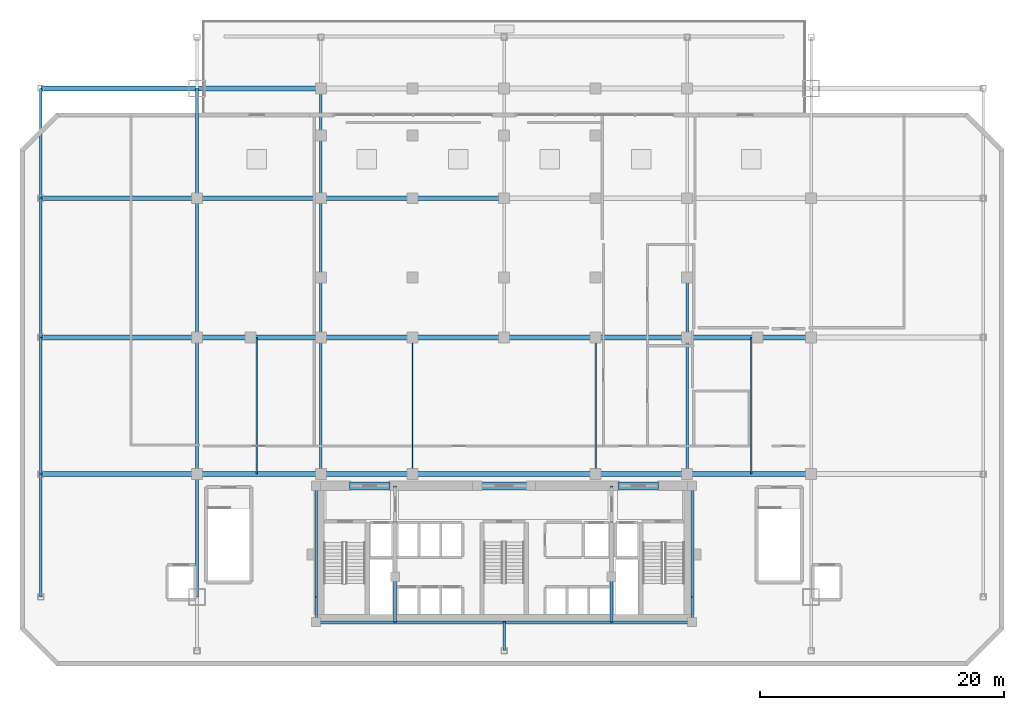
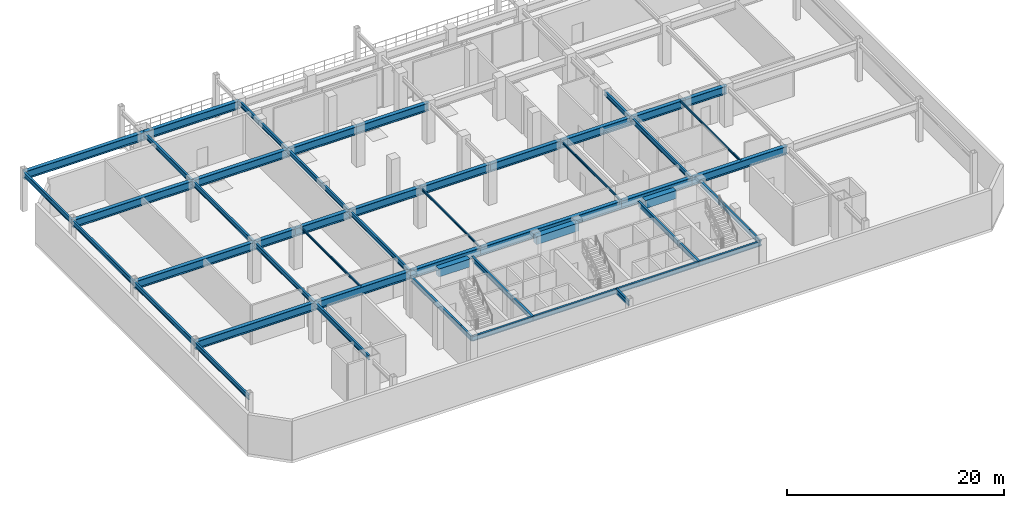
# One storey, part 3 of 15: 53 beams.
"""IFC4 building model written with IfcOpenShell, lengths in metres."""

from ifc_helpers import new_model, si_unit, direction, frame, origin, origin_2d, place, context, subcontext, project, spatial, rectangle, i_section, extrude, material, material_profile, profile_set, type_object, element, save


model = new_model("IFC4")

# Units and contexts
model_context = context("Model", 3, precision=1e-05, world=origin(), true_north=direction((0.0, 1.0)))
body_context = subcontext(model_context, "Body", "Model", "MODEL_VIEW")
ifc_project = project(units=[si_unit("LENGTHUNIT", "METRE"), si_unit("AREAUNIT", "SQUARE_METRE"), si_unit("VOLUMEUNIT", "CUBIC_METRE"), si_unit("PLANEANGLEUNIT", "RADIAN"), si_unit("MASSUNIT", "GRAM", prefix="KILO")], contexts=[model_context])

# Site, building, storey
site_placement = place(None, origin())
site = spatial("IfcSite", under=ifc_project, at=site_placement, CompositionType="ELEMENT")
building_placement = place(site_placement, origin())
building = spatial("IfcBuilding", under=site, at=building_placement, Name="Ventersveld Concourse Tower", CompositionType="ELEMENT")
storey_placement = place(building_placement, frame((0.0, 0.0, 19.800048828125)))
storey = spatial("IfcBuildingStorey", under=building, at=storey_placement, Name="L04", CompositionType="ELEMENT", Elevation=19.800048828125)

# Beams
ifc_material_1 = material(Name="Concrete C60/75", Category="concrete")
ifc_material_profile_1 = material_profile(ifc_material_1, rectangle(XDim=0.60009765625, YDim=0.89990234375, at=origin_2d()), Name="RC 600x900")
ifc_profile_set_1 = profile_set([ifc_material_profile_1], Name="Concrete C60/75")
beam_type_1 = type_object("IfcBeamType", Name="CB-RC600x900L", PredefinedType="LINTEL", material=ifc_profile_set_1)
beam_1_placement = place(storey_placement, frame((16.10009765625, 11.449951171875, 3.949951171875), z_axis=(1.0, 0.0, 0.0), x_axis=(0.0, 1.0, 0.0)))
element("IfcBeam", 1, at=beam_1_placement, inside=storey, type_object=beam_type_1, Name="L04 Core Coupling Lintel Beam 1", PredefinedType="LINTEL", context=body_context, shape_type="SweptSolid", body=[
    extrude(rectangle(XDim=0.60009765625, YDim=0.89990234375, at=origin_2d()), origin(), (0.0, 0.0, 1.0), 3.2998046875),
])
beam_2_placement = place(storey_placement, frame((26.5, 11.449951171875, 3.949951171875), z_axis=(1.0, 0.0, 0.0), x_axis=(0.0, 1.0, 0.0)))
element("IfcBeam", 2, at=beam_2_placement, inside=storey, type_object=beam_type_1, Name="L04 Core Coupling Lintel Beam 2", PredefinedType="LINTEL", context=body_context, shape_type="SweptSolid", body=[
    extrude(rectangle(XDim=0.60009765625, YDim=0.89990234375, at=origin_2d()), origin(), (0.0, 0.0, 1.0), 4.5),
])
beam_3_placement = place(storey_placement, frame((38.10009765625, 11.449951171875, 3.949951171875), z_axis=(1.0, 0.0, 0.0), x_axis=(0.0, 1.0, 0.0)))
element("IfcBeam", 3, at=beam_3_placement, inside=storey, type_object=beam_type_1, Name="L04 Core Coupling Lintel Beam 3", PredefinedType="LINTEL", context=body_context, shape_type="SweptSolid", body=[
    extrude(rectangle(XDim=0.60009765625, YDim=0.89990234375, at=origin_2d()), origin(), (0.0, 0.0, 1.0), 3.2998046875),
])
ifc_material_2 = material(Name="Structural steel S355J2", Category="steel")
ifc_material_profile_2 = material_profile(ifc_material_2, i_section(OverallWidth=0.39990234375, OverallDepth=0.89990234375, WebThickness=0.02197265625, FlangeThickness=0.035888671875, at=origin_2d()), Name="PG 900x400x36")
ifc_profile_set_2 = profile_set([ifc_material_profile_2], Name="Structural steel S355J2")
beam_type_2 = type_object("IfcBeamType", Name="GRD-PG900", PredefinedType="USERDEFINED", material=ifc_profile_set_2)
beam_4_placement = place(storey_placement, frame((-9.199951171875, 12.39990234375, 3.949951171875), z_axis=(1.0, 0.0, 0.0), x_axis=(0.0, 1.0, 0.0)))
element("IfcBeam", 4, at=beam_4_placement, inside=storey, type_object=beam_type_2, Name="L04 Podium Primary Girder Y=12.4m", ObjectType="GIRDER", PredefinedType="USERDEFINED", context=body_context, shape_type="SweptSolid", body=[
    extrude(i_section(OverallWidth=0.39990234375, OverallDepth=0.89990234375, WebThickness=0.02197265625, FlangeThickness=0.035888671875, at=origin_2d()), origin(), (0.0, 0.0, 1.0), 12.800048828125),
])
beam_5_placement = place(storey_placement, frame((3.60009765625, 12.39990234375, 3.949951171875), z_axis=(1.0, 0.0, 0.0), x_axis=(0.0, 1.0, 0.0)))
element("IfcBeam", 5, at=beam_5_placement, inside=storey, type_object=beam_type_2, Name="L04 Podium Primary Girder Y=12.4m", ObjectType="GIRDER", PredefinedType="USERDEFINED", context=body_context, shape_type="SweptSolid", body=[
    extrude(i_section(OverallWidth=0.39990234375, OverallDepth=0.89990234375, WebThickness=0.02197265625, FlangeThickness=0.035888671875, at=origin_2d()), origin(), (0.0, 0.0, 1.0), 10.14990234375),
])
beam_6_placement = place(storey_placement, frame((13.75, 12.39990234375, 3.949951171875), z_axis=(1.0, 0.0, 0.0), x_axis=(0.0, 1.0, 0.0)))
element("IfcBeam", 6, at=beam_6_placement, inside=storey, type_object=beam_type_2, Name="L04 Podium Primary Girder Y=12.4m", ObjectType="GIRDER", PredefinedType="USERDEFINED", context=body_context, shape_type="SweptSolid", body=[
    extrude(i_section(OverallWidth=0.39990234375, OverallDepth=0.89990234375, WebThickness=0.02197265625, FlangeThickness=0.035888671875, at=origin_2d()), origin(), (0.0, 0.0, 1.0), 7.5),
])
beam_7_placement = place(storey_placement, frame((21.25, 12.39990234375, 3.949951171875), z_axis=(1.0, 0.0, 0.0), x_axis=(0.0, 1.0, 0.0)))
element("IfcBeam", 7, at=beam_7_placement, inside=storey, type_object=beam_type_2, Name="L04 Podium Primary Girder Y=12.4m", ObjectType="GIRDER", PredefinedType="USERDEFINED", context=body_context, shape_type="SweptSolid", body=[
    extrude(i_section(OverallWidth=0.39990234375, OverallDepth=0.89990234375, WebThickness=0.02197265625, FlangeThickness=0.035888671875, at=origin_2d()), origin(), (0.0, 0.0, 1.0), 15.0),
])
beam_8_placement = place(storey_placement, frame((36.25, 12.39990234375, 3.949951171875), z_axis=(1.0, 0.0, 0.0), x_axis=(0.0, 1.0, 0.0)))
element("IfcBeam", 8, at=beam_8_placement, inside=storey, type_object=beam_type_2, Name="L04 Podium Primary Girder Y=12.4m", ObjectType="GIRDER", PredefinedType="USERDEFINED", context=body_context, shape_type="SweptSolid", body=[
    extrude(i_section(OverallWidth=0.39990234375, OverallDepth=0.89990234375, WebThickness=0.02197265625, FlangeThickness=0.035888671875, at=origin_2d()), origin(), (0.0, 0.0, 1.0), 7.5),
])
beam_9_placement = place(storey_placement, frame((43.75, 12.39990234375, 3.949951171875), z_axis=(1.0, 0.0, 0.0), x_axis=(0.0, 1.0, 0.0)))
element("IfcBeam", 9, at=beam_9_placement, inside=storey, type_object=beam_type_2, Name="L04 Podium Primary Girder Y=12.4m", ObjectType="GIRDER", PredefinedType="USERDEFINED", context=body_context, shape_type="SweptSolid", body=[
    extrude(i_section(OverallWidth=0.39990234375, OverallDepth=0.89990234375, WebThickness=0.02197265625, FlangeThickness=0.035888671875, at=origin_2d()), origin(), (0.0, 0.0, 1.0), 10.14990234375),
])
beam_10_placement = place(storey_placement, frame((-9.199951171875, 23.60009765625, 3.949951171875), z_axis=(1.0, 0.0, 0.0), x_axis=(0.0, 1.0, 0.0)))
element("IfcBeam", 10, at=beam_10_placement, inside=storey, type_object=beam_type_2, Name="L04 Podium Primary Girder Y=23.6m", ObjectType="GIRDER", PredefinedType="USERDEFINED", context=body_context, shape_type="SweptSolid", body=[
    extrude(i_section(OverallWidth=0.39990234375, OverallDepth=0.89990234375, WebThickness=0.02197265625, FlangeThickness=0.035888671875, at=origin_2d()), origin(), (0.0, 0.0, 1.0), 12.800048828125),
])
beam_11_placement = place(storey_placement, frame((3.60009765625, 23.60009765625, 3.949951171875), z_axis=(1.0, 0.0, 0.0), x_axis=(0.0, 1.0, 0.0)))
element("IfcBeam", 11, at=beam_11_placement, inside=storey, type_object=beam_type_2, Name="L04 Podium Primary Girder Y=23.6m", ObjectType="GIRDER", PredefinedType="USERDEFINED", context=body_context, shape_type="SweptSolid", body=[
    extrude(i_section(OverallWidth=0.39990234375, OverallDepth=0.89990234375, WebThickness=0.02197265625, FlangeThickness=0.035888671875, at=origin_2d()), origin(), (0.0, 0.0, 1.0), 4.39990234375),
])
beam_12_placement = place(storey_placement, frame((8.0, 23.60009765625, 3.949951171875), z_axis=(1.0, 0.0, 0.0), x_axis=(0.0, 1.0, 0.0)))
element("IfcBeam", 12, at=beam_12_placement, inside=storey, type_object=beam_type_2, Name="L04 Podium Primary Girder Y=23.6m", ObjectType="GIRDER", PredefinedType="USERDEFINED", context=body_context, shape_type="SweptSolid", body=[
    extrude(i_section(OverallWidth=0.39990234375, OverallDepth=0.89990234375, WebThickness=0.02197265625, FlangeThickness=0.035888671875, at=origin_2d()), origin(), (0.0, 0.0, 1.0), 5.75),
])
for number, where, z_axis, x_axis, name in (
    (13, (13.75, 23.60009765625, 3.949951171875), (1.0, 0.0, 0.0), (0.0, 1.0, 0.0), "L04 Podium Primary Girder Y=23.6m"),
    (14, (21.25, 23.60009765625, 3.949951171875), (1.0, 0.0, 0.0), (0.0, 1.0, 0.0), "L04 Podium Primary Girder Y=23.6m"),
    (15, (28.75, 23.60009765625, 3.949951171875), (1.0, 0.0, 0.0), (0.0, 1.0, 0.0), "L04 Podium Primary Girder Y=23.6m"),
    (16, (36.25, 23.60009765625, 3.949951171875), (1.0, 0.0, 0.0), (0.0, 1.0, 0.0), "L04 Podium Primary Girder Y=23.6m"),
):
    element("IfcBeam", number, at=place(storey_placement, frame(where, z_axis=z_axis, x_axis=x_axis)), inside=storey, type_object=beam_type_2, Name=name, ObjectType="GIRDER", PredefinedType="USERDEFINED", context=body_context, shape_type="SweptSolid", body=[
        extrude(i_section(OverallWidth=0.39990234375, OverallDepth=0.89990234375, WebThickness=0.02197265625, FlangeThickness=0.035888671875, at=origin_2d()), origin(), (0.0, 0.0, 1.0), 7.5),
    ])
beam_13_placement = place(storey_placement, frame((43.75, 23.60009765625, 3.949951171875), z_axis=(1.0, 0.0, 0.0), x_axis=(0.0, 1.0, 0.0)))
element("IfcBeam", 17, at=beam_13_placement, inside=storey, type_object=beam_type_2, Name="L04 Podium Primary Girder Y=23.6m", ObjectType="GIRDER", PredefinedType="USERDEFINED", context=body_context, shape_type="SweptSolid", body=[
    extrude(i_section(OverallWidth=0.39990234375, OverallDepth=0.89990234375, WebThickness=0.02197265625, FlangeThickness=0.035888671875, at=origin_2d()), origin(), (0.0, 0.0, 1.0), 5.75),
])
beam_14_placement = place(storey_placement, frame((49.5, 23.60009765625, 3.949951171875), z_axis=(1.0, 0.0, 0.0), x_axis=(0.0, 1.0, 0.0)))
element("IfcBeam", 18, at=beam_14_placement, inside=storey, type_object=beam_type_2, Name="L04 Podium Primary Girder Y=23.6m", ObjectType="GIRDER", PredefinedType="USERDEFINED", context=body_context, shape_type="SweptSolid", body=[
    extrude(i_section(OverallWidth=0.39990234375, OverallDepth=0.89990234375, WebThickness=0.02197265625, FlangeThickness=0.035888671875, at=origin_2d()), origin(), (0.0, 0.0, 1.0), 4.39990234375),
])
beam_15_placement = place(storey_placement, frame((-9.199951171875, 35.0, 3.949951171875), z_axis=(1.0, 0.0, 0.0), x_axis=(0.0, 1.0, 0.0)))
element("IfcBeam", 19, at=beam_15_placement, inside=storey, type_object=beam_type_2, Name="L04 Podium Primary Girder Y=35.0m", ObjectType="GIRDER", PredefinedType="USERDEFINED", context=body_context, shape_type="SweptSolid", body=[
    extrude(i_section(OverallWidth=0.39990234375, OverallDepth=0.89990234375, WebThickness=0.02197265625, FlangeThickness=0.035888671875, at=origin_2d()), origin(), (0.0, 0.0, 1.0), 12.800048828125),
])
beam_16_placement = place(storey_placement, frame((3.60009765625, 35.0, 3.949951171875), z_axis=(1.0, 0.0, 0.0), x_axis=(0.0, 1.0, 0.0)))
element("IfcBeam", 20, at=beam_16_placement, inside=storey, type_object=beam_type_2, Name="L04 Podium Primary Girder Y=35.0m", ObjectType="GIRDER", PredefinedType="USERDEFINED", context=body_context, shape_type="SweptSolid", body=[
    extrude(i_section(OverallWidth=0.39990234375, OverallDepth=0.89990234375, WebThickness=0.02197265625, FlangeThickness=0.035888671875, at=origin_2d()), origin(), (0.0, 0.0, 1.0), 10.14990234375),
])
beam_17_placement = place(storey_placement, frame((13.75, 35.0, 3.949951171875), z_axis=(1.0, 0.0, 0.0), x_axis=(0.0, 1.0, 0.0)))
element("IfcBeam", 21, at=beam_17_placement, inside=storey, type_object=beam_type_2, Name="L04 Podium Primary Girder Y=35.0m", ObjectType="GIRDER", PredefinedType="USERDEFINED", context=body_context, shape_type="SweptSolid", body=[
    extrude(i_section(OverallWidth=0.39990234375, OverallDepth=0.89990234375, WebThickness=0.02197265625, FlangeThickness=0.035888671875, at=origin_2d()), origin(), (0.0, 0.0, 1.0), 15.0),
])
beam_18_placement = place(storey_placement, frame((-9.199951171875, 44.0, 3.949951171875), z_axis=(1.0, 0.0, 0.0), x_axis=(0.0, 1.0, 0.0)))
element("IfcBeam", 22, at=beam_18_placement, inside=storey, type_object=beam_type_2, Name="L04 Podium Primary Girder Y=44.0m", ObjectType="GIRDER", PredefinedType="USERDEFINED", context=body_context, shape_type="SweptSolid", body=[
    extrude(i_section(OverallWidth=0.39990234375, OverallDepth=0.89990234375, WebThickness=0.02197265625, FlangeThickness=0.035888671875, at=origin_2d()), origin(), (0.0, 0.0, 1.0), 12.800048828125),
])
beam_19_placement = place(storey_placement, frame((3.60009765625, 44.0, 3.949951171875), z_axis=(1.0, 0.0, 0.0), x_axis=(0.0, 1.0, 0.0)))
element("IfcBeam", 23, at=beam_19_placement, inside=storey, type_object=beam_type_2, Name="L04 Podium Primary Girder Y=44.0m", ObjectType="GIRDER", PredefinedType="USERDEFINED", context=body_context, shape_type="SweptSolid", body=[
    extrude(i_section(OverallWidth=0.39990234375, OverallDepth=0.89990234375, WebThickness=0.02197265625, FlangeThickness=0.035888671875, at=origin_2d()), origin(), (0.0, 0.0, 1.0), 10.14990234375),
])
ifc_material_profile_3 = material_profile(ifc_material_2, i_section(OverallWidth=0.209228515625, OverallDepth=0.533203125, WebThickness=0.010009765625, FlangeThickness=0.015625, FilletRadius=0.0126953125, at=origin_2d()), Name="UB 533x210x92")
ifc_profile_set_3 = profile_set([ifc_material_profile_3], Name="Structural steel S355J2")
beam_type_3 = type_object("IfcBeamType", Name="GRD-UB533", PredefinedType="T_BEAM", material=ifc_profile_set_3)
beam_20_placement = place(storey_placement, frame((-9.199951171875, 2.35009765625, 4.133544921875), z_axis=(0.0, 1.0, 0.0), x_axis=(-1.0, 0.0, 0.0)))
element("IfcBeam", 24, at=beam_20_placement, inside=storey, type_object=beam_type_3, Name="L04 Podium N-S Girder X=-9.20m", PredefinedType="T_BEAM", context=body_context, shape_type="SweptSolid", body=[
    extrude(i_section(OverallWidth=0.209228515625, OverallDepth=0.533203125, WebThickness=0.010009765625, FlangeThickness=0.015625, FilletRadius=0.0126953125, at=origin_2d()), origin(), (0.0, 0.0, 1.0), 10.0498046875),
])
beam_21_placement = place(storey_placement, frame((-9.199951171875, 12.39990234375, 4.133544921875), z_axis=(0.0, 1.0, 0.0), x_axis=(-1.0, 0.0, 0.0)))
element("IfcBeam", 25, at=beam_21_placement, inside=storey, type_object=beam_type_3, Name="L04 Podium N-S Girder X=-9.20m", PredefinedType="T_BEAM", context=body_context, shape_type="SweptSolid", body=[
    extrude(i_section(OverallWidth=0.209228515625, OverallDepth=0.533203125, WebThickness=0.010009765625, FlangeThickness=0.015625, FilletRadius=0.0126953125, at=origin_2d()), origin(), (0.0, 0.0, 1.0), 11.2001953125),
])
beam_22_placement = place(storey_placement, frame((-9.199951171875, 23.60009765625, 4.133544921875), z_axis=(0.0, 1.0, 0.0), x_axis=(-1.0, 0.0, 0.0)))
element("IfcBeam", 26, at=beam_22_placement, inside=storey, type_object=beam_type_3, Name="L04 Podium N-S Girder X=-9.20m", PredefinedType="T_BEAM", context=body_context, shape_type="SweptSolid", body=[
    extrude(i_section(OverallWidth=0.209228515625, OverallDepth=0.533203125, WebThickness=0.010009765625, FlangeThickness=0.015625, FilletRadius=0.0126953125, at=origin_2d()), origin(), (0.0, 0.0, 1.0), 11.39990234375),
])
beam_23_placement = place(storey_placement, frame((-9.199951171875, 35.0, 4.133544921875), z_axis=(0.0, 1.0, 0.0), x_axis=(-1.0, 0.0, 0.0)))
element("IfcBeam", 27, at=beam_23_placement, inside=storey, type_object=beam_type_3, Name="L04 Podium N-S Girder X=-9.20m", PredefinedType="T_BEAM", context=body_context, shape_type="SweptSolid", body=[
    extrude(i_section(OverallWidth=0.209228515625, OverallDepth=0.533203125, WebThickness=0.010009765625, FlangeThickness=0.015625, FilletRadius=0.0126953125, at=origin_2d()), origin(), (0.0, 0.0, 1.0), 9.0),
])
beam_24_placement = place(storey_placement, frame((3.60009765625, 2.35009765625, 4.133544921875), z_axis=(0.0, 1.0, 0.0), x_axis=(-1.0, 0.0, 0.0)))
element("IfcBeam", 28, at=beam_24_placement, inside=storey, type_object=beam_type_3, Name="L04 Podium N-S Girder X=3.60m", PredefinedType="T_BEAM", context=body_context, shape_type="SweptSolid", body=[
    extrude(i_section(OverallWidth=0.209228515625, OverallDepth=0.533203125, WebThickness=0.010009765625, FlangeThickness=0.015625, FilletRadius=0.0126953125, at=origin_2d()), origin(), (0.0, 0.0, 1.0), 10.0498046875),
])
beam_25_placement = place(storey_placement, frame((3.60009765625, 12.39990234375, 4.133544921875), z_axis=(0.0, 1.0, 0.0), x_axis=(-1.0, 0.0, 0.0)))
element("IfcBeam", 29, at=beam_25_placement, inside=storey, type_object=beam_type_3, Name="L04 Podium N-S Girder X=3.60m", PredefinedType="T_BEAM", context=body_context, shape_type="SweptSolid", body=[
    extrude(i_section(OverallWidth=0.209228515625, OverallDepth=0.533203125, WebThickness=0.010009765625, FlangeThickness=0.015625, FilletRadius=0.0126953125, at=origin_2d()), origin(), (0.0, 0.0, 1.0), 11.2001953125),
])
beam_26_placement = place(storey_placement, frame((3.60009765625, 23.60009765625, 4.133544921875), z_axis=(0.0, 1.0, 0.0), x_axis=(-1.0, 0.0, 0.0)))
element("IfcBeam", 30, at=beam_26_placement, inside=storey, type_object=beam_type_3, Name="L04 Podium N-S Girder X=3.60m", PredefinedType="T_BEAM", context=body_context, shape_type="SweptSolid", body=[
    extrude(i_section(OverallWidth=0.209228515625, OverallDepth=0.533203125, WebThickness=0.010009765625, FlangeThickness=0.015625, FilletRadius=0.0126953125, at=origin_2d()), origin(), (0.0, 0.0, 1.0), 11.39990234375),
])
beam_27_placement = place(storey_placement, frame((3.60009765625, 35.0, 4.133544921875), z_axis=(0.0, 1.0, 0.0), x_axis=(-1.0, 0.0, 0.0)))
element("IfcBeam", 31, at=beam_27_placement, inside=storey, type_object=beam_type_3, Name="L04 Podium N-S Girder X=3.60m", PredefinedType="T_BEAM", context=body_context, shape_type="SweptSolid", body=[
    extrude(i_section(OverallWidth=0.209228515625, OverallDepth=0.533203125, WebThickness=0.010009765625, FlangeThickness=0.015625, FilletRadius=0.0126953125, at=origin_2d()), origin(), (0.0, 0.0, 1.0), 9.0),
])
beam_28_placement = place(storey_placement, frame((13.75, 12.39990234375, 4.133544921875), z_axis=(0.0, 1.0, 0.0), x_axis=(-1.0, 0.0, 0.0)))
element("IfcBeam", 32, at=beam_28_placement, inside=storey, type_object=beam_type_3, Name="L04 Podium N-S Girder X=13.75m", PredefinedType="T_BEAM", context=body_context, shape_type="SweptSolid", body=[
    extrude(i_section(OverallWidth=0.209228515625, OverallDepth=0.533203125, WebThickness=0.010009765625, FlangeThickness=0.015625, FilletRadius=0.0126953125, at=origin_2d()), origin(), (0.0, 0.0, 1.0), 11.2001953125),
])
beam_29_placement = place(storey_placement, frame((13.75, 23.60009765625, 4.133544921875), z_axis=(0.0, 1.0, 0.0), x_axis=(-1.0, 0.0, 0.0)))
element("IfcBeam", 33, at=beam_29_placement, inside=storey, type_object=beam_type_3, Name="L04 Podium N-S Girder X=13.75m", PredefinedType="T_BEAM", context=body_context, shape_type="SweptSolid", body=[
    extrude(i_section(OverallWidth=0.209228515625, OverallDepth=0.533203125, WebThickness=0.010009765625, FlangeThickness=0.015625, FilletRadius=0.0126953125, at=origin_2d()), origin(), (0.0, 0.0, 1.0), 4.89990234375),
])
beam_30_placement = place(storey_placement, frame((13.75, 28.5, 4.133544921875), z_axis=(0.0, 1.0, 0.0), x_axis=(-1.0, 0.0, 0.0)))
element("IfcBeam", 34, at=beam_30_placement, inside=storey, type_object=beam_type_3, Name="L04 Podium N-S Girder X=13.75m", PredefinedType="T_BEAM", context=body_context, shape_type="SweptSolid", body=[
    extrude(i_section(OverallWidth=0.209228515625, OverallDepth=0.533203125, WebThickness=0.010009765625, FlangeThickness=0.015625, FilletRadius=0.0126953125, at=origin_2d()), origin(), (0.0, 0.0, 1.0), 6.5),
])
beam_31_placement = place(storey_placement, frame((13.75, 35.0, 4.133544921875), z_axis=(0.0, 1.0, 0.0), x_axis=(-1.0, 0.0, 0.0)))
element("IfcBeam", 35, at=beam_31_placement, inside=storey, type_object=beam_type_3, Name="L04 Podium N-S Girder X=13.75m", PredefinedType="T_BEAM", context=body_context, shape_type="SweptSolid", body=[
    extrude(i_section(OverallWidth=0.209228515625, OverallDepth=0.533203125, WebThickness=0.010009765625, FlangeThickness=0.015625, FilletRadius=0.0126953125, at=origin_2d()), origin(), (0.0, 0.0, 1.0), 9.0),
])
beam_32_placement = place(storey_placement, frame((28.75, -2.050048828125, 4.133544921875), z_axis=(0.0, 1.0, 0.0), x_axis=(-1.0, 0.0, 0.0)))
element("IfcBeam", 36, at=beam_32_placement, inside=storey, type_object=beam_type_3, Name="L04 Podium N-S Girder X=28.75m", PredefinedType="T_BEAM", context=body_context, shape_type="SweptSolid", body=[
    extrude(i_section(OverallWidth=0.209228515625, OverallDepth=0.533203125, WebThickness=0.010009765625, FlangeThickness=0.015625, FilletRadius=0.0126953125, at=origin_2d()), origin(), (0.0, 0.0, 1.0), 2.330078125),
])
beam_33_placement = place(storey_placement, frame((43.75, 12.39990234375, 4.133544921875), z_axis=(0.0, 1.0, 0.0), x_axis=(-1.0, 0.0, 0.0)))
element("IfcBeam", 37, at=beam_33_placement, inside=storey, type_object=beam_type_3, Name="L04 Podium N-S Girder X=43.75m", PredefinedType="T_BEAM", context=body_context, shape_type="SweptSolid", body=[
    extrude(i_section(OverallWidth=0.209228515625, OverallDepth=0.533203125, WebThickness=0.010009765625, FlangeThickness=0.015625, FilletRadius=0.0126953125, at=origin_2d()), origin(), (0.0, 0.0, 1.0), 11.2001953125),
])
beam_34_placement = place(storey_placement, frame((43.75, 23.60009765625, 4.133544921875), z_axis=(0.0, 1.0, 0.0), x_axis=(-1.0, 0.0, 0.0)))
element("IfcBeam", 38, at=beam_34_placement, inside=storey, type_object=beam_type_3, Name="L04 Podium N-S Girder X=43.75m", PredefinedType="T_BEAM", context=body_context, shape_type="SweptSolid", body=[
    extrude(i_section(OverallWidth=0.209228515625, OverallDepth=0.533203125, WebThickness=0.010009765625, FlangeThickness=0.015625, FilletRadius=0.0126953125, at=origin_2d()), origin(), (0.0, 0.0, 1.0), 4.89990234375),
])
ifc_material_profile_4 = material_profile(ifc_material_2, i_section(OverallWidth=0.2119140625, OverallDepth=0.54443359375, WebThickness=0.0126953125, FlangeThickness=0.021240234375, FilletRadius=0.0126953125, at=origin_2d()), Name="UB 533x210x122")
ifc_profile_set_4 = profile_set([ifc_material_profile_4], Name="Structural steel S355J2")
beam_type_4 = type_object("IfcBeamType", Name="GRD-UB533H", PredefinedType="T_BEAM", material=ifc_profile_set_4)
beam_35_placement = place(storey_placement, frame((13.35009765625, 0.280029296875, 4.127685546875), z_axis=(0.0, 1.0, 0.0), x_axis=(-1.0, 0.0, 0.0)))
element("IfcBeam", 39, at=beam_35_placement, inside=storey, type_object=beam_type_4, Name="L04 Core West Tie Beam S", PredefinedType="T_BEAM", context=body_context, shape_type="SweptSolid", body=[
    extrude(i_section(OverallWidth=0.2119140625, OverallDepth=0.54443359375, WebThickness=0.0126953125, FlangeThickness=0.021240234375, FilletRadius=0.0126953125, at=origin_2d()), origin(), (0.0, 0.0, 1.0), 2.070068359375),
])
beam_36_placement = place(storey_placement, frame((13.35009765625, 2.35009765625, 4.127685546875), z_axis=(0.0, 1.0, 0.0), x_axis=(-1.0, 0.0, 0.0)))
element("IfcBeam", 40, at=beam_36_placement, inside=storey, type_object=beam_type_4, Name="L04 Core West Tie Beam N", PredefinedType="T_BEAM", context=body_context, shape_type="SweptSolid", body=[
    extrude(i_section(OverallWidth=0.2119140625, OverallDepth=0.54443359375, WebThickness=0.0126953125, FlangeThickness=0.021240234375, FilletRadius=0.0126953125, at=origin_2d()), origin(), (0.0, 0.0, 1.0), 9.099853515625),
])
beam_37_placement = place(storey_placement, frame((44.14990234375, 0.280029296875, 4.127685546875), z_axis=(0.0, 1.0, 0.0), x_axis=(-1.0, 0.0, 0.0)))
element("IfcBeam", 41, at=beam_37_placement, inside=storey, type_object=beam_type_4, Name="L04 Core East Tie Beam S", PredefinedType="T_BEAM", context=body_context, shape_type="SweptSolid", body=[
    extrude(i_section(OverallWidth=0.2119140625, OverallDepth=0.54443359375, WebThickness=0.0126953125, FlangeThickness=0.021240234375, FilletRadius=0.0126953125, at=origin_2d()), origin(), (0.0, 0.0, 1.0), 2.070068359375),
])
beam_38_placement = place(storey_placement, frame((44.14990234375, 2.35009765625, 4.127685546875), z_axis=(0.0, 1.0, 0.0), x_axis=(-1.0, 0.0, 0.0)))
element("IfcBeam", 42, at=beam_38_placement, inside=storey, type_object=beam_type_4, Name="L04 Core East Tie Beam N", PredefinedType="T_BEAM", context=body_context, shape_type="SweptSolid", body=[
    extrude(i_section(OverallWidth=0.2119140625, OverallDepth=0.54443359375, WebThickness=0.0126953125, FlangeThickness=0.021240234375, FilletRadius=0.0126953125, at=origin_2d()), origin(), (0.0, 0.0, 1.0), 9.099853515625),
])
beam_39_placement = place(storey_placement, frame((13.35009765625, 0.280029296875, 4.127685546875), z_axis=(1.0, 0.0, 0.0), x_axis=(0.0, 1.0, 0.0)))
element("IfcBeam", 43, at=beam_39_placement, inside=storey, type_object=beam_type_4, Name="L04 Core South Tie Beam W", PredefinedType="T_BEAM", context=body_context, shape_type="SweptSolid", body=[
    extrude(i_section(OverallWidth=0.2119140625, OverallDepth=0.54443359375, WebThickness=0.0126953125, FlangeThickness=0.021240234375, FilletRadius=0.0126953125, at=origin_2d()), origin(), (0.0, 0.0, 1.0), 6.469970703125),
])
beam_40_placement = place(storey_placement, frame((19.820068359375, 0.280029296875, 4.127685546875), z_axis=(1.0, 0.0, 0.0), x_axis=(0.0, 1.0, 0.0)))
element("IfcBeam", 44, at=beam_40_placement, inside=storey, type_object=beam_type_4, Name="L04 Core South Tie Beam C", PredefinedType="T_BEAM", context=body_context, shape_type="SweptSolid", body=[
    extrude(i_section(OverallWidth=0.2119140625, OverallDepth=0.54443359375, WebThickness=0.0126953125, FlangeThickness=0.021240234375, FilletRadius=0.0126953125, at=origin_2d()), origin(), (0.0, 0.0, 1.0), 17.72998046875),
])
beam_41_placement = place(storey_placement, frame((37.550048828125, 0.280029296875, 4.127685546875), z_axis=(1.0, 0.0, 0.0), x_axis=(0.0, 1.0, 0.0)))
element("IfcBeam", 45, at=beam_41_placement, inside=storey, type_object=beam_type_4, Name="L04 Core South Tie Beam E", PredefinedType="T_BEAM", context=body_context, shape_type="SweptSolid", body=[
    extrude(i_section(OverallWidth=0.2119140625, OverallDepth=0.54443359375, WebThickness=0.0126953125, FlangeThickness=0.021240234375, FilletRadius=0.0126953125, at=origin_2d()), origin(), (0.0, 0.0, 1.0), 6.599853515625),
])
beam_42_placement = place(storey_placement, frame((19.820068359375, 0.280029296875, 4.127685546875), z_axis=(0.0, 1.0, 0.0), x_axis=(-1.0, 0.0, 0.0)))
element("IfcBeam", 46, at=beam_42_placement, inside=storey, type_object=beam_type_4, Name="L04 Core Spine N-S Tie Beam W1", PredefinedType="T_BEAM", context=body_context, shape_type="SweptSolid", body=[
    extrude(i_section(OverallWidth=0.2119140625, OverallDepth=0.54443359375, WebThickness=0.0126953125, FlangeThickness=0.021240234375, FilletRadius=0.0126953125, at=origin_2d()), origin(), (0.0, 0.0, 1.0), 3.719970703125),
])
beam_43_placement = place(storey_placement, frame((19.820068359375, 4.0, 4.127685546875), z_axis=(0.0, 1.0, 0.0), x_axis=(-1.0, 0.0, 0.0)))
element("IfcBeam", 47, at=beam_43_placement, inside=storey, type_object=beam_type_4, Name="L04 Core Spine N-S Tie Beam W2", PredefinedType="T_BEAM", context=body_context, shape_type="SweptSolid", body=[
    extrude(i_section(OverallWidth=0.2119140625, OverallDepth=0.54443359375, WebThickness=0.0126953125, FlangeThickness=0.021240234375, FilletRadius=0.0126953125, at=origin_2d()), origin(), (0.0, 0.0, 1.0), 7.449951171875),
])
beam_44_placement = place(storey_placement, frame((37.550048828125, 0.280029296875, 4.127685546875), z_axis=(0.0, 1.0, 0.0), x_axis=(-1.0, 0.0, 0.0)))
element("IfcBeam", 48, at=beam_44_placement, inside=storey, type_object=beam_type_4, Name="L04 Core Spine N-S Tie Beam E1", PredefinedType="T_BEAM", context=body_context, shape_type="SweptSolid", body=[
    extrude(i_section(OverallWidth=0.2119140625, OverallDepth=0.54443359375, WebThickness=0.0126953125, FlangeThickness=0.021240234375, FilletRadius=0.0126953125, at=origin_2d()), origin(), (0.0, 0.0, 1.0), 3.719970703125),
])
beam_45_placement = place(storey_placement, frame((37.550048828125, 4.0, 4.127685546875), z_axis=(0.0, 1.0, 0.0), x_axis=(-1.0, 0.0, 0.0)))
element("IfcBeam", 49, at=beam_45_placement, inside=storey, type_object=beam_type_4, Name="L04 Core Spine N-S Tie Beam E2", PredefinedType="T_BEAM", context=body_context, shape_type="SweptSolid", body=[
    extrude(i_section(OverallWidth=0.2119140625, OverallDepth=0.54443359375, WebThickness=0.0126953125, FlangeThickness=0.021240234375, FilletRadius=0.0126953125, at=origin_2d()), origin(), (0.0, 0.0, 1.0), 7.449951171875),
])
ifc_material_profile_5 = material_profile(ifc_material_2, i_section(OverallWidth=0.1201171875, OverallDepth=0.239990234375, WebThickness=0.006103515625, FlangeThickness=0.009765625, FilletRadius=0.014892578125, at=origin_2d()), Name="IPE 240")
ifc_profile_set_5 = profile_set([ifc_material_profile_5], Name="Structural steel S355J2")
beam_type_5 = type_object("IfcBeamType", Name="JST-IPE240", PredefinedType="JOIST", material=ifc_profile_set_5)
for number, where, z_axis, x_axis, name in (
    (50, (8.5, 12.39990234375, 4.280029296875), (0.0, 1.0, 0.0), (-1.0, 0.0, 0.0), "L04 Podium Floor Joist X=8.50m"),
    (51, (21.25, 12.39990234375, 4.280029296875), (0.0, 1.0, 0.0), (-1.0, 0.0, 0.0), "L04 Podium Floor Joist X=21.25m"),
    (52, (36.25, 12.39990234375, 4.280029296875), (0.0, 1.0, 0.0), (-1.0, 0.0, 0.0), "L04 Podium Floor Joist X=36.25m"),
    (53, (49.0, 12.39990234375, 4.280029296875), (0.0, 1.0, 0.0), (-1.0, 0.0, 0.0), "L04 Podium Floor Joist X=49.00m"),
):
    element("IfcBeam", number, at=place(storey_placement, frame(where, z_axis=z_axis, x_axis=x_axis)), inside=storey, type_object=beam_type_5, Name=name, PredefinedType="JOIST", context=body_context, shape_type="SweptSolid", body=[
        extrude(i_section(OverallWidth=0.1201171875, OverallDepth=0.239990234375, WebThickness=0.006103515625, FlangeThickness=0.009765625, FilletRadius=0.014892578125, at=origin_2d()), origin(), (0.0, 0.0, 1.0), 11.2001953125),
    ])

save(model, "model.ifc")
